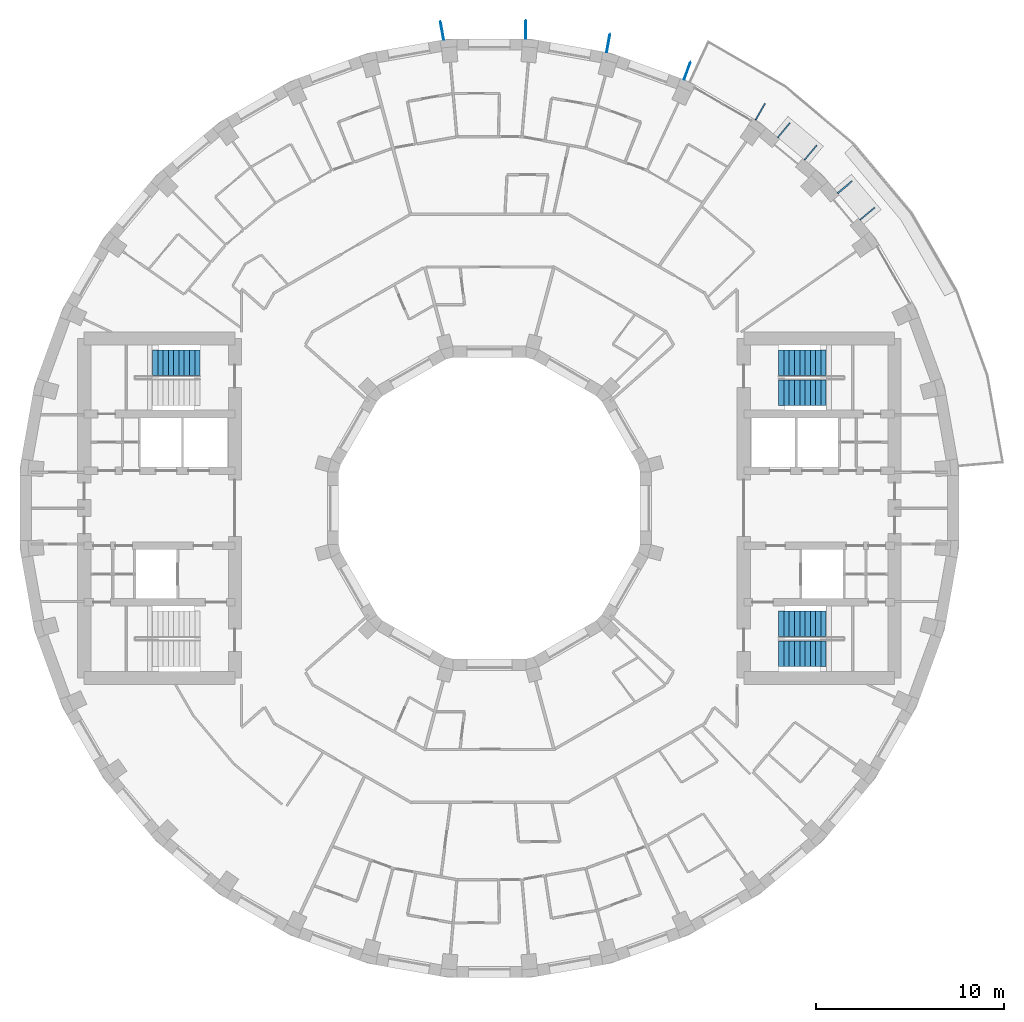
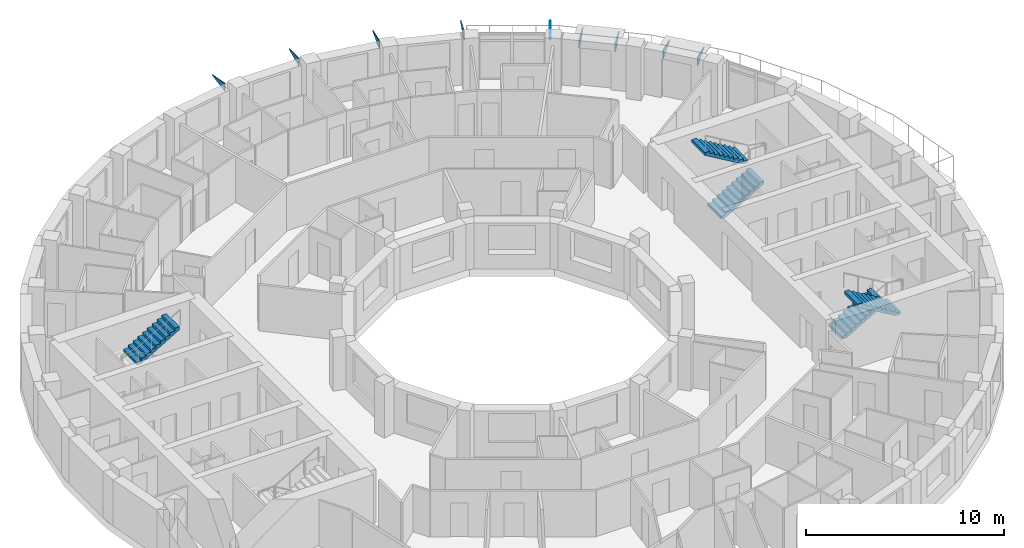
# One storey, part 14 of 15: 9 discrete accessories, 5 stair flights, 3 elements without a shape of their own.
"""IFC4 building model written with IfcOpenShell, lengths in metres."""

from ifc_helpers import new_model, si_unit, direction, frame, origin, place, context, subcontext, project, spatial, polyline, outline, extrude, material, layer, layer_set, type_object, element, aggregate, save


model = new_model("IFC4")

# Units and contexts
model_context = context("Model", 3, precision=1e-05, world=origin(), true_north=direction((0.0, 1.0)))
body_context = subcontext(model_context, "Body", "Model", "MODEL_VIEW")
ifc_project = project(units=[si_unit("LENGTHUNIT", "METRE"), si_unit("AREAUNIT", "SQUARE_METRE"), si_unit("VOLUMEUNIT", "CUBIC_METRE"), si_unit("PLANEANGLEUNIT", "RADIAN"), si_unit("MASSUNIT", "GRAM", prefix="KILO")], contexts=[model_context])

# Site, building, storey
site_placement = place(None, origin())
site = spatial("IfcSite", under=ifc_project, at=site_placement, CompositionType="ELEMENT")
building_placement = place(site_placement, origin())
building = spatial("IfcBuilding", under=site, at=building_placement, Name="Saqina Gate Tower", CompositionType="ELEMENT")
storey_placement = place(building_placement, frame((0.0, 0.0, 197.10009765625)))
storey = spatial("IfcBuildingStorey", under=building, at=storey_placement, Name="L56", CompositionType="ELEMENT", Elevation=197.10009765625)

# Stair, stair flights
ifc_material_1 = material(Name="Concrete C40/50", Category="concrete")
stair_type = type_object("IfcStairType", Name="EXIT STAIR", PredefinedType="HALF_TURN_STAIR", material=ifc_material_1)
stair_1_placement = place(storey_placement, origin())
stair_1 = element("IfcStair", 1, at=stair_1_placement, inside=storey, type_object=stair_type, Name="EXIT STAIR 1", PredefinedType="HALF_TURN_STAIR")
ifc_material_2 = material(Name="Concrete C40/50", Category="concrete")
stair_flight_type = type_object("IfcStairFlightType", Name="EXIT STAIR FLIGHT", PredefinedType="STRAIGHT", material=ifc_material_2)
stair_flight_1_placement = place(storey_placement, frame((15.35009765625, 6.125, 0.0), z_axis=(0.0, 0.0, 1.0), x_axis=(1.0, 0.0, 0.0)))
stair_flight_1 = element("IfcStairFlight", 2, at=stair_flight_1_placement, type_object=stair_flight_type, Name="EXIT STAIR 1 FLIGHT 1", NumberOfRisers=10, NumberOfTreads=9, PredefinedType="STRAIGHT", RiserHeight=0.165, TreadLength=0.28, context=body_context, shape_type="SweptSolid", body=[
    extrude(outline(polyline([(0.0, 0.0), (0.0, 0.1650390625), (0.280029296875, 0.1650390625), (0.280029296875, 0.330078125), (0.56005859375, 0.330078125), (0.56005859375, 0.4951171875), (0.840087890625, 0.4951171875), (0.840087890625, 0.659912109375), (1.1201171875, 0.659912109375), (1.1201171875, 0.824951171875), (1.39990234375, 0.824951171875), (1.39990234375, 0.989990234375), (1.679931640625, 0.989990234375), (1.679931640625, 1.155029296875), (1.9599609375, 1.155029296875), (1.9599609375, 1.320068359375), (2.239990234375, 1.320068359375), (2.239990234375, 1.485107421875), (2.52001953125, 1.485107421875), (2.52001953125, 1.64990234375), (2.52001953125, 1.31103515625), (0.295166015625, 0.0), (0.0, 0.0)])), frame((0.0, 0.675048828125, 0.0), z_axis=(0.0, -1.0, 0.0), x_axis=(1.0, 0.0, 0.0)), (0.0, 0.0, 1.0), 1.35009765625),
])
stair_flight_2_placement = place(storey_placement, frame((17.8701171875, 7.72509765625, 1.64990234375), z_axis=(0.0, 0.0, 1.0), x_axis=(-1.0, 0.0, 0.0)))
stair_flight_2 = element("IfcStairFlight", 3, at=stair_flight_2_placement, type_object=stair_flight_type, Name="EXIT STAIR 1 FLIGHT 2", NumberOfRisers=10, NumberOfTreads=9, PredefinedType="STRAIGHT", RiserHeight=0.165, TreadLength=0.28, context=body_context, shape_type="SweptSolid", body=[
    extrude(outline(polyline([(0.0, 0.0), (0.0, 0.1650390625), (0.280029296875, 0.1650390625), (0.280029296875, 0.330078125), (0.56005859375, 0.330078125), (0.56005859375, 0.4951171875), (0.840087890625, 0.4951171875), (0.840087890625, 0.659912109375), (1.1201171875, 0.659912109375), (1.1201171875, 0.824951171875), (1.39990234375, 0.824951171875), (1.39990234375, 0.989990234375), (1.679931640625, 0.989990234375), (1.679931640625, 1.155029296875), (1.9599609375, 1.155029296875), (1.9599609375, 1.320068359375), (2.239990234375, 1.320068359375), (2.239990234375, 1.485107421875), (2.52001953125, 1.485107421875), (2.52001953125, 1.64990234375), (2.52001953125, 1.31103515625), (0.295166015625, 0.0), (0.0, 0.0)])), frame((0.0, 0.675048828125, 0.0), z_axis=(0.0, -1.0, 0.0), x_axis=(1.0, 0.0, 0.0)), (0.0, 0.0, 1.0), 1.35009765625),
])
aggregate(stair_1, [stair_flight_1, stair_flight_2])

stair_2_placement = place(storey_placement, origin())
stair_2 = element("IfcStair", 4, at=stair_2_placement, inside=storey, type_object=stair_type, Name="EXIT STAIR 2", PredefinedType="HALF_TURN_STAIR")
stair_flight_3_placement = place(storey_placement, frame((15.35009765625, -6.125, 0.0), z_axis=(0.0, 0.0, 1.0), x_axis=(1.0, 0.0, 0.0)))
stair_flight_3 = element("IfcStairFlight", 5, at=stair_flight_3_placement, type_object=stair_flight_type, Name="EXIT STAIR 2 FLIGHT 1", NumberOfRisers=10, NumberOfTreads=9, PredefinedType="STRAIGHT", RiserHeight=0.165, TreadLength=0.28, context=body_context, shape_type="SweptSolid", body=[
    extrude(outline(polyline([(0.0, 0.0), (0.0, 0.1650390625), (0.280029296875, 0.1650390625), (0.280029296875, 0.330078125), (0.56005859375, 0.330078125), (0.56005859375, 0.4951171875), (0.840087890625, 0.4951171875), (0.840087890625, 0.659912109375), (1.1201171875, 0.659912109375), (1.1201171875, 0.824951171875), (1.39990234375, 0.824951171875), (1.39990234375, 0.989990234375), (1.679931640625, 0.989990234375), (1.679931640625, 1.155029296875), (1.9599609375, 1.155029296875), (1.9599609375, 1.320068359375), (2.239990234375, 1.320068359375), (2.239990234375, 1.485107421875), (2.52001953125, 1.485107421875), (2.52001953125, 1.64990234375), (2.52001953125, 1.31103515625), (0.295166015625, 0.0), (0.0, 0.0)])), frame((0.0, 0.675048828125, 0.0), z_axis=(0.0, -1.0, 0.0), x_axis=(1.0, 0.0, 0.0)), (0.0, 0.0, 1.0), 1.35009765625),
])
stair_flight_4_placement = place(storey_placement, frame((17.8701171875, -7.72509765625, 1.64990234375), z_axis=(0.0, 0.0, 1.0), x_axis=(-1.0, 0.0, 0.0)))
stair_flight_4 = element("IfcStairFlight", 6, at=stair_flight_4_placement, type_object=stair_flight_type, Name="EXIT STAIR 2 FLIGHT 2", NumberOfRisers=10, NumberOfTreads=9, PredefinedType="STRAIGHT", RiserHeight=0.165, TreadLength=0.28, context=body_context, shape_type="SweptSolid", body=[
    extrude(outline(polyline([(0.0, 0.0), (0.0, 0.1650390625), (0.280029296875, 0.1650390625), (0.280029296875, 0.330078125), (0.56005859375, 0.330078125), (0.56005859375, 0.4951171875), (0.840087890625, 0.4951171875), (0.840087890625, 0.659912109375), (1.1201171875, 0.659912109375), (1.1201171875, 0.824951171875), (1.39990234375, 0.824951171875), (1.39990234375, 0.989990234375), (1.679931640625, 0.989990234375), (1.679931640625, 1.155029296875), (1.9599609375, 1.155029296875), (1.9599609375, 1.320068359375), (2.239990234375, 1.320068359375), (2.239990234375, 1.485107421875), (2.52001953125, 1.485107421875), (2.52001953125, 1.64990234375), (2.52001953125, 1.31103515625), (0.295166015625, 0.0), (0.0, 0.0)])), frame((0.0, 0.675048828125, 0.0), z_axis=(0.0, -1.0, 0.0), x_axis=(1.0, 0.0, 0.0)), (0.0, 0.0, 1.0), 1.35009765625),
])
aggregate(stair_2, [stair_flight_3, stair_flight_4])

# Stair, stair flight
stair_3_placement = place(storey_placement, origin())
stair_3 = element("IfcStair", 7, at=stair_3_placement, inside=storey, type_object=stair_type, Name="EXIT STAIR 3", PredefinedType="HALF_TURN_STAIR")
stair_flight_5_placement = place(storey_placement, frame((-17.8701171875, 7.72509765625, 1.64990234375), z_axis=(0.0, 0.0, 1.0), x_axis=(1.0, 0.0, 0.0)))
stair_flight_5 = element("IfcStairFlight", 8, at=stair_flight_5_placement, type_object=stair_flight_type, Name="EXIT STAIR 3 FLIGHT 2", NumberOfRisers=10, NumberOfTreads=9, PredefinedType="STRAIGHT", RiserHeight=0.165, TreadLength=0.28, context=body_context, shape_type="SweptSolid", body=[
    extrude(outline(polyline([(0.0, 0.0), (0.0, 0.1650390625), (0.280029296875, 0.1650390625), (0.280029296875, 0.330078125), (0.56005859375, 0.330078125), (0.56005859375, 0.4951171875), (0.840087890625, 0.4951171875), (0.840087890625, 0.659912109375), (1.1201171875, 0.659912109375), (1.1201171875, 0.824951171875), (1.39990234375, 0.824951171875), (1.39990234375, 0.989990234375), (1.679931640625, 0.989990234375), (1.679931640625, 1.155029296875), (1.9599609375, 1.155029296875), (1.9599609375, 1.320068359375), (2.239990234375, 1.320068359375), (2.239990234375, 1.485107421875), (2.52001953125, 1.485107421875), (2.52001953125, 1.64990234375), (2.52001953125, 1.31103515625), (0.295166015625, 0.0), (0.0, 0.0)])), frame((0.0, 0.675048828125, 0.0), z_axis=(0.0, -1.0, 0.0), x_axis=(1.0, 0.0, 0.0)), (0.0, 0.0, 1.0), 1.35009765625),
])
aggregate(stair_3, [stair_flight_5])

# Discrete accessories
ifc_material_3 = material(Name="Galvanised steel", Category="steel")
ifc_layer_1 = layer(ifc_material_3, 0.050048828125)
ifc_layer_set_1 = layer_set([ifc_layer_1], Name="BR-AWNING")
discrete_accessory_type_1 = type_object("IfcDiscreteAccessoryType", Name="BR-AWNING", PredefinedType="BRACKET", material=ifc_layer_set_1)
for number, where, z_axis, x_axis, name in (
    (9, (19.65673828125, 15.319091796875, 1.974853515625), (-0.642894271969, 0.765954930181, 0.0), (0.0, 0.0, 1.0), "Awning bracket L56 facet 4"),
    (10, (18.4677734375, 16.736083984375, 1.974853515625), (-0.642894271969, 0.765954930181, 0.0), (0.0, 0.0, 1.0), "Awning bracket L56 facet 4"),
):
    element("IfcDiscreteAccessory", number, at=place(storey_placement, frame(where, z_axis=z_axis, x_axis=x_axis)), inside=storey, type_object=discrete_accessory_type_1, Name=name, PredefinedType="BRACKET", context=body_context, shape_type="SweptSolid", body=[
        extrude(outline(polyline([(0.0, 0.0), (0.550048828125, 0.0), (0.550048828125, 0.9998879966000863), (0.0, 0.0)])), origin(), (0.0, 0.0, -1.0), 0.050048828125),
    ])
discrete_accessory_1_placement = place(storey_placement, frame((16.697998046875, 18.499755859375, 1.974853515625), z_axis=(-0.766055819685, 0.64277405138, 0.0), x_axis=(0.0, 0.0, 1.0)))
element("IfcDiscreteAccessory", 11, at=discrete_accessory_1_placement, inside=storey, type_object=discrete_accessory_type_1, Name="Awning bracket L56 facet 5", PredefinedType="BRACKET", context=body_context, shape_type="SweptSolid", body=[
    extrude(outline(polyline([(0.0, 0.0), (0.550048828125, 0.0), (0.550048828125, 1.0000750096322273), (0.0, 0.0)])), origin(), (0.0, 0.0, -1.0), 0.050048828125),
])
discrete_accessory_2_placement = place(storey_placement, frame((15.281005859375, 19.688720703125, 1.974853515625), z_axis=(-0.766176031171, 0.642630756546, 0.0), x_axis=(0.0, 0.0, 1.0)))
element("IfcDiscreteAccessory", 12, at=discrete_accessory_2_placement, inside=storey, type_object=discrete_accessory_type_1, Name="Awning bracket L56 facet 5", PredefinedType="BRACKET", context=body_context, shape_type="SweptSolid", body=[
    extrude(outline(polyline([(0.0, 0.0), (0.550048828125, 0.0), (0.550048828125, 0.9999180998642625), (0.0, 0.0)])), origin(), (0.0, 0.0, -1.0), 0.050048828125),
])
ifc_material_4 = material(Name="Galvanised steel", Category="steel")
ifc_layer_2 = layer(ifc_material_4, 0.050048828125)
ifc_layer_set_2 = layer_set([ifc_layer_2], Name="BR-GUSSET")
discrete_accessory_type_2 = type_object("IfcDiscreteAccessoryType", Name="BR-GUSSET", PredefinedType="BRACKET", material=ifc_layer_set_2)
discrete_accessory_3_placement = place(storey_placement, frame((14.101318359375, 20.6162109375, 2.349853515625), z_axis=(-0.866071776036, 0.499919672301, 0.0), x_axis=(0.0, 0.0, 1.0)))
element("IfcDiscreteAccessory", 13, at=discrete_accessory_3_placement, inside=storey, type_object=discrete_accessory_type_2, Name="Terrace slab bracket L57 1", PredefinedType="BRACKET", context=body_context, shape_type="SweptSolid", body=[
    extrude(outline(polyline([(0.0, 0.0), (0.5, 0.0), (0.5, 1.0001606812130883), (0.0, 0.0)])), origin(), (0.0, 0.0, -1.0), 0.050048828125),
])
discrete_accessory_4_placement = place(storey_placement, frame((10.306884765625, 22.751708984375, 2.349853515625), z_axis=(-0.939607969897, 0.34225263024, 0.0), x_axis=(0.0, 0.0, 1.0)))
element("IfcDiscreteAccessory", 14, at=discrete_accessory_4_placement, inside=storey, type_object=discrete_accessory_type_2, Name="Terrace slab bracket L57 2", PredefinedType="BRACKET", context=body_context, shape_type="SweptSolid", body=[
    extrude(outline(polyline([(0.0, 0.0), (0.5, 0.0), (0.5, 1.0000950350902602), (0.0, 0.0)])), origin(), (0.0, 0.0, -1.0), 0.050048828125),
])
discrete_accessory_5_placement = place(storey_placement, frame((6.19970703125, 24.19580078125, 2.349853515625), z_axis=(-0.984820401928, 0.173576426815, 0.0), x_axis=(0.0, 0.0, 1.0)))
element("IfcDiscreteAccessory", 15, at=discrete_accessory_5_placement, inside=storey, type_object=discrete_accessory_type_2, Name="Terrace slab bracket L57 3", PredefinedType="BRACKET", context=body_context, shape_type="SweptSolid", body=[
    extrude(outline(polyline([(0.0, 0.0), (0.5, 0.0), (0.5, 1.000043540245132), (0.0, 0.0)])), origin(), (0.0, 0.0, -1.0), 0.050048828125),
])
discrete_accessory_6_placement = place(storey_placement, frame((1.90380859375, 24.90478515625, 2.349853515625), z_axis=(-1.0, 0.0, 0.0), x_axis=(0.0, 0.0, 1.0)))
element("IfcDiscreteAccessory", 16, at=discrete_accessory_6_placement, inside=storey, type_object=discrete_accessory_type_2, Name="Terrace slab bracket L57 4", PredefinedType="BRACKET", context=body_context, shape_type="SweptSolid", body=[
    extrude(outline(polyline([(0.0, 0.0), (0.5, 0.0), (0.5, 1.0), (0.0, 0.0)])), origin(), (0.0, 0.0, -1.0), 0.050048828125),
])
discrete_accessory_7_placement = place(storey_placement, frame((-2.44970703125, 24.857177734375, 2.349853515625), z_axis=(-0.984813043937, -0.173618168668, 0.0), x_axis=(0.0, 0.0, 1.0)))
element("IfcDiscreteAccessory", 17, at=discrete_accessory_7_placement, inside=storey, type_object=discrete_accessory_type_2, Name="Terrace slab bracket L57 5", PredefinedType="BRACKET", context=body_context, shape_type="SweptSolid", body=[
    extrude(outline(polyline([(0.0, 0.0), (0.5, 0.0), (0.5, 0.9998031064747768), (0.0, 0.0)])), origin(), (0.0, 0.0, -1.0), 0.050048828125),
])

save(model, "model.ifc")
